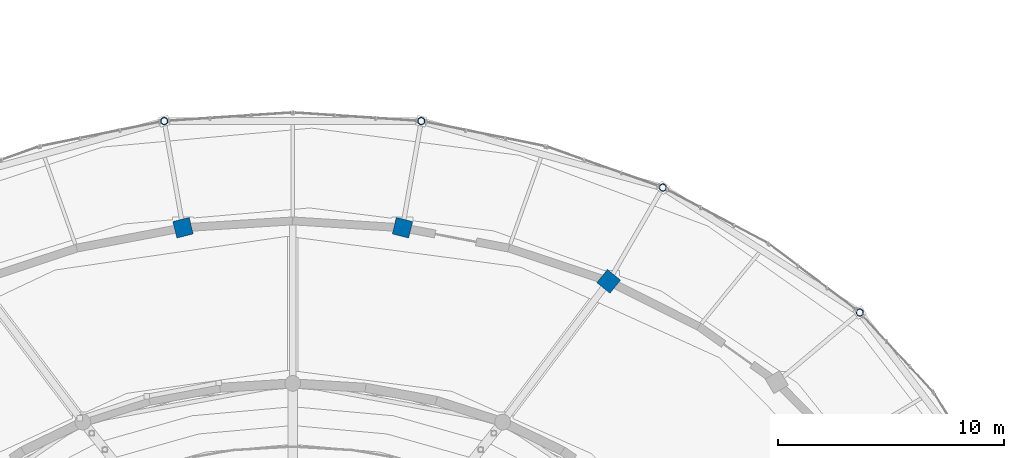
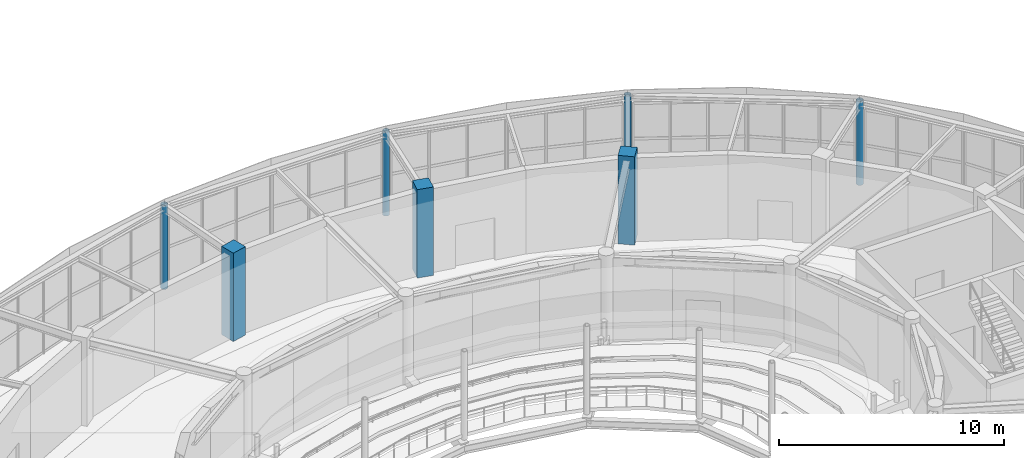
# One storey, part 12 of 108: 7 columns.
"""IFC4 building model written with IfcOpenShell, lengths in metres."""

from ifc_helpers import new_model, si_unit, direction, frame, origin, origin_2d, place, context, subcontext, project, spatial, rectangle, hollow_circle, extrude, material, material_profile, profile_set, type_object, element, save


model = new_model("IFC4")

# Units and contexts
model_context = context("Model", 3, precision=1e-05, world=origin(), true_north=direction((0.0, 1.0)))
body_context = subcontext(model_context, "Body", "Model", "MODEL_VIEW")
ifc_project = project(units=[si_unit("LENGTHUNIT", "METRE"), si_unit("AREAUNIT", "SQUARE_METRE"), si_unit("VOLUMEUNIT", "CUBIC_METRE"), si_unit("PLANEANGLEUNIT", "RADIAN"), si_unit("MASSUNIT", "GRAM", prefix="KILO")], contexts=[model_context])

# Site, building, storey
site_placement = place(None, origin())
site = spatial("IfcSite", under=ifc_project, at=site_placement, CompositionType="ELEMENT")
building_placement = place(site_placement, origin())
building = spatial("IfcBuilding", under=site, at=building_placement, Name="Tarnveldt Headland Concert Hall", CompositionType="ELEMENT")
storey_placement = place(building_placement, frame((0.0, 0.0, 9.60009765625)))
storey = spatial("IfcBuildingStorey", under=building, at=storey_placement, Name="L02", CompositionType="ELEMENT", Elevation=9.60009765625)

# Columns
ifc_material_1 = material(Name="Concrete C40/50", Category="concrete")
ifc_material_profile_1 = material_profile(ifc_material_1, rectangle(XDim=0.75, YDim=0.75, at=origin_2d()), Name="RC 750x750", Category="concrete")
ifc_profile_set_1 = profile_set([ifc_material_profile_1], Name="Concrete C40/50")
column_type_1 = type_object("IfcColumnType", Name="CC-750", PredefinedType="COLUMN", material=ifc_profile_set_1)
for number, where, z_axis, x_axis, name in (
    (1, (97.5, 71.820556640625, 0.0), (0.0, 0.0, 1.0), (0.628641963719, 0.777694851116, 0.0), "Column V2DC04 L02"),
    (2, (88.362060546875, 74.1962890625, 0.0), (0.0, 0.0, 1.0), (0.239719743609, 0.970842131618, 0.0), "Column V2DC05 L02"),
    (3, (78.637939453125, 74.1962890625, 0.0), (0.0, 0.0, 1.0), (-0.239719743609, 0.970842131618, 0.0), "Column V2DC06 L02"),
):
    element("IfcColumn", number, at=place(storey_placement, frame(where, z_axis=z_axis, x_axis=x_axis)), inside=storey, type_object=column_type_1, Name=name, PredefinedType="COLUMN", context=body_context, shape_type="SweptSolid", body=[
        extrude(rectangle(XDim=0.75, YDim=0.75, at=origin_2d()), origin(), (0.0, 0.0, 1.0), 4.7998046875),
    ])
ifc_material_2 = material(Name="Steel S355", Category="steel")
ifc_material_profile_2 = material_profile(ifc_material_2, hollow_circle(Radius=0.161865234375, WallThickness=0.02001953125, at=origin_2d()), Name="CHS 323.9x20", Category="steel")
ifc_profile_set_2 = profile_set([ifc_material_profile_2], Name="Steel S355")
column_type_2 = type_object("IfcColumnType", Name="SC-CHS323", PredefinedType="COLUMN", material=ifc_profile_set_2)
for number, where, z_axis, x_axis, name in (
    (4, (108.626220703125, 70.441162109375, 0.0), (0.0, 0.0, 1.0), (0.84442143206, 0.535679423796, 0.0), "Column V1C03 L02"),
    (5, (99.89990234375, 75.977294921875, 0.0), (0.0, 0.0, 1.0), (0.606959801962, 0.79473253287, 0.0), "Column V1C04 L02"),
    (6, (89.19580078125, 78.923095703125, 0.0), (0.0, 0.0, 1.0), (0.227161248969, 0.973857159427, 0.0), "Column V1C05 L02"),
    (7, (77.80419921875, 78.923095703125, 0.0), (0.0, 0.0, 1.0), (-0.227161248969, 0.973857159427, 0.0), "Column V1C06 L02"),
):
    element("IfcColumn", number, at=place(storey_placement, frame(where, z_axis=z_axis, x_axis=x_axis)), inside=storey, type_object=column_type_2, Name=name, PredefinedType="COLUMN", context=body_context, shape_type="SweptSolid", body=[
        extrude(hollow_circle(Radius=0.161865234375, WallThickness=0.02001953125, at=origin_2d()), origin(), (0.0, 0.0, 1.0), 4.5498046875),
    ])

save(model, "model.ifc")
